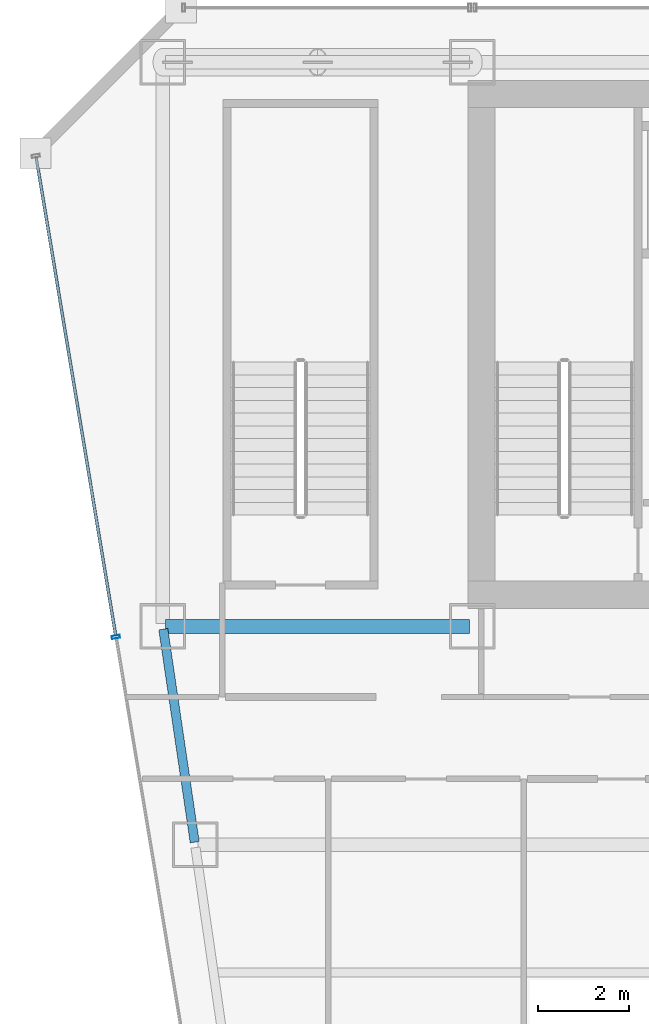
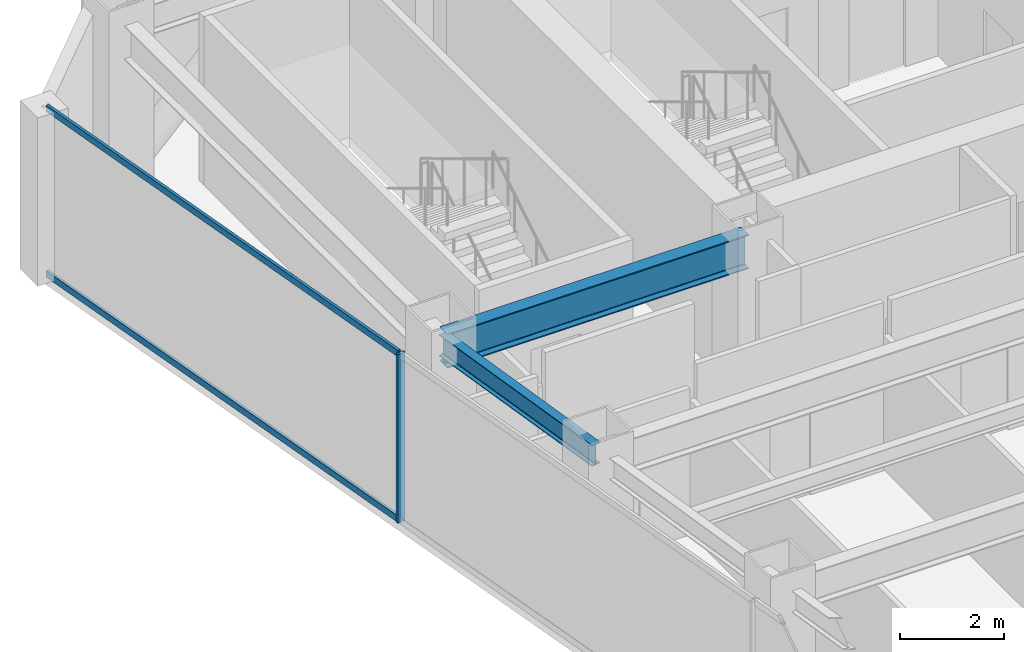
# One storey, part 18 of 36: 3 members, 2 beams, 1 element without a shape of its own.
"""IFC4 building model written with IfcOpenShell, lengths in metres."""

from ifc_helpers import new_model, si_unit, direction, frame, origin, origin_2d, place, context, subcontext, project, spatial, hollow_rectangle, i_section, extrude, material, material_profile, profile_set, type_object, element, aggregate, save


model = new_model("IFC4")

# Units and contexts
model_context = context("Model", 3, precision=1e-05, world=origin(), true_north=direction((0.0, 1.0)))
body_context = subcontext(model_context, "Body", "Model", "MODEL_VIEW")
ifc_project = project(units=[si_unit("LENGTHUNIT", "METRE"), si_unit("AREAUNIT", "SQUARE_METRE"), si_unit("VOLUMEUNIT", "CUBIC_METRE"), si_unit("PLANEANGLEUNIT", "RADIAN"), si_unit("MASSUNIT", "GRAM", prefix="KILO")], contexts=[model_context])

# Site, building, storey
site_placement = place(None, origin())
site = spatial("IfcSite", under=ifc_project, at=site_placement, CompositionType="ELEMENT")
building_placement = place(site_placement, origin())
building = spatial("IfcBuilding", under=site, at=building_placement, Name="Saevonmaru Cultural Tower", CompositionType="ELEMENT")
storey_placement = place(building_placement, frame((0.0, 0.0, 119.199951171875)))
storey = spatial("IfcBuildingStorey", under=building, at=storey_placement, Name="L25", CompositionType="ELEMENT", Elevation=119.199951171875)

# Beams
ifc_material_1 = material(Name="Steel SM420", Category="steel")
ifc_material_profile_1 = material_profile(ifc_material_1, i_section(OverallWidth=0.300048828125, OverallDepth=0.800048828125, WebThickness=0.013916015625, FlangeThickness=0.02587890625, FilletRadius=0.028076171875, at=origin_2d()), Name="H-800x300x14x26")
ifc_profile_set_1 = profile_set([ifc_material_profile_1], Name="Steel SM420")
beam_type_1 = type_object("IfcBeamType", Name="BM-G-H800", PredefinedType="BEAM", material=ifc_profile_set_1)
beam_1_placement = place(storey_placement, frame((6.860107421875, 42.39990234375, 3.550048828125), z_axis=(1.0, 0.0, 0.0), x_axis=(0.0, 1.0, 0.0)))
element("IfcBeam", 1, at=beam_1_placement, inside=storey, type_object=beam_type_1, Name="L25 Core South Girder 1", PredefinedType="BEAM", context=body_context, shape_type="SweptSolid", body=[
    extrude(i_section(OverallWidth=0.300048828125, OverallDepth=0.800048828125, WebThickness=0.013916015625, FlangeThickness=0.02587890625, FilletRadius=0.028076171875, at=origin_2d()), origin(), (0.0, 0.0, 1.0), 6.679931640625),
])
ifc_material_2 = material(Name="Steel SM355", Category="steel")
ifc_material_profile_2 = material_profile(ifc_material_2, i_section(OverallWidth=0.199951171875, OverallDepth=0.5, WebThickness=0.010009765625, FlangeThickness=0.01611328125, FilletRadius=0.02001953125, at=origin_2d()), Name="H-500x200x10x16")
ifc_profile_set_2 = profile_set([ifc_material_profile_2], Name="Steel SM355")
beam_type_2 = type_object("IfcBeamType", Name="BM-SP-H500", PredefinedType="SPANDREL", material=ifc_profile_set_2)
beam_2_placement = place(storey_placement, frame((7.499267578125, 37.659423828125, 3.699951171875), z_axis=(-0.145912860028, 0.989297446312, 0.0), x_axis=(-0.989297446312, -0.145912860028, 0.0)))
element("IfcBeam", 2, at=beam_2_placement, inside=storey, type_object=beam_type_2, Name="L25 West Splayed Spandrel 5", PredefinedType="SPANDREL", context=body_context, shape_type="SweptSolid", body=[
    extrude(i_section(OverallWidth=0.199951171875, OverallDepth=0.5, WebThickness=0.010009765625, FlangeThickness=0.01611328125, FilletRadius=0.02001953125, at=origin_2d()), origin(), (0.0, 0.0, 1.0), 4.731689453125),
])

# Curtain wall, members
ifc_material_3 = material(Name="Satin Bronze Anodised Aluminium", Category="aluminium")
curtain_wall_type = type_object("IfcCurtainWallType", Name="CW-TYP-A", PredefinedType="NOTDEFINED", material=ifc_material_3)
curtain_wall_placement = place(storey_placement, origin())
curtain_wall = element("IfcCurtainWall", 3, at=curtain_wall_placement, inside=storey, type_object=curtain_wall_type, Name="L25 Unitised Curtain Wall E12", PredefinedType="NOTDEFINED")
ifc_material_profile_3 = material_profile(ifc_material_3, hollow_rectangle(XDim=0.06494140625, YDim=0.179931640625, WallThickness=0.00390625, at=origin_2d()), Name="ALU-MULL-180x65x4")
ifc_profile_set_3 = profile_set([ifc_material_profile_3], Name="Satin Bronze Anodised Aluminium")
member_type_1 = type_object("IfcMemberType", Name="ML-CW-180x65", PredefinedType="MULLION", material=ifc_profile_set_3)
member_1_placement = place(storey_placement, frame((5.76708984375, 42.17041015625, 0.0), z_axis=(0.0, 0.0, 1.0), x_axis=(0.163998702345, -0.986460554523, 0.0)))
member_1 = element("IfcMember", 4, at=member_1_placement, type_object=member_type_1, Name="CW-TW-L25-E12 mullion 2", PredefinedType="MULLION", context=body_context, shape_type="SweptSolid", body=[
    extrude(hollow_rectangle(XDim=0.06494140625, YDim=0.179931640625, WallThickness=0.00390625, at=origin_2d()), origin(), (0.0, 0.0, 1.0), 3.949951171875),
])
ifc_material_profile_4 = material_profile(ifc_material_3, hollow_rectangle(XDim=0.06494140625, YDim=0.14990234375, WallThickness=0.00390625, at=origin_2d()), Name="ALU-TRAN-150x65x4")
ifc_profile_set_4 = profile_set([ifc_material_profile_4], Name="Satin Bronze Anodised Aluminium")
member_type_2 = type_object("IfcMemberType", Name="TR-CW-150x65", PredefinedType="USERDEFINED", material=ifc_profile_set_4)
member_2_placement = place(storey_placement, frame((4.01513671875, 52.708740234375, 0.032470703125), z_axis=(0.163990079074, -0.9864619881, 0.0), x_axis=(0.9864619881, 0.163990079074, 0.0)))
member_2 = element("IfcMember", 5, at=member_2_placement, type_object=member_type_2, Name="CW-TW-L25-E12 transom 1.1", ObjectType="TRANSOM", PredefinedType="USERDEFINED", context=body_context, shape_type="SweptSolid", body=[
    extrude(hollow_rectangle(XDim=0.06494140625, YDim=0.14990234375, WallThickness=0.00390625, at=origin_2d()), origin(), (0.0, 0.0, 1.0), 10.650634765625),
])
member_3_placement = place(storey_placement, frame((4.01513671875, 52.708740234375, 3.91748046875), z_axis=(0.163990079074, -0.9864619881, 0.0), x_axis=(0.9864619881, 0.163990079074, 0.0)))
member_3 = element("IfcMember", 6, at=member_3_placement, type_object=member_type_2, Name="CW-TW-L25-E12 transom 1.2", ObjectType="TRANSOM", PredefinedType="USERDEFINED", context=body_context, shape_type="SweptSolid", body=[
    extrude(hollow_rectangle(XDim=0.06494140625, YDim=0.14990234375, WallThickness=0.00390625, at=origin_2d()), origin(), (0.0, 0.0, 1.0), 10.650634765625),
])
aggregate(curtain_wall, [member_1, member_2, member_3])

save(model, "model.ifc")
